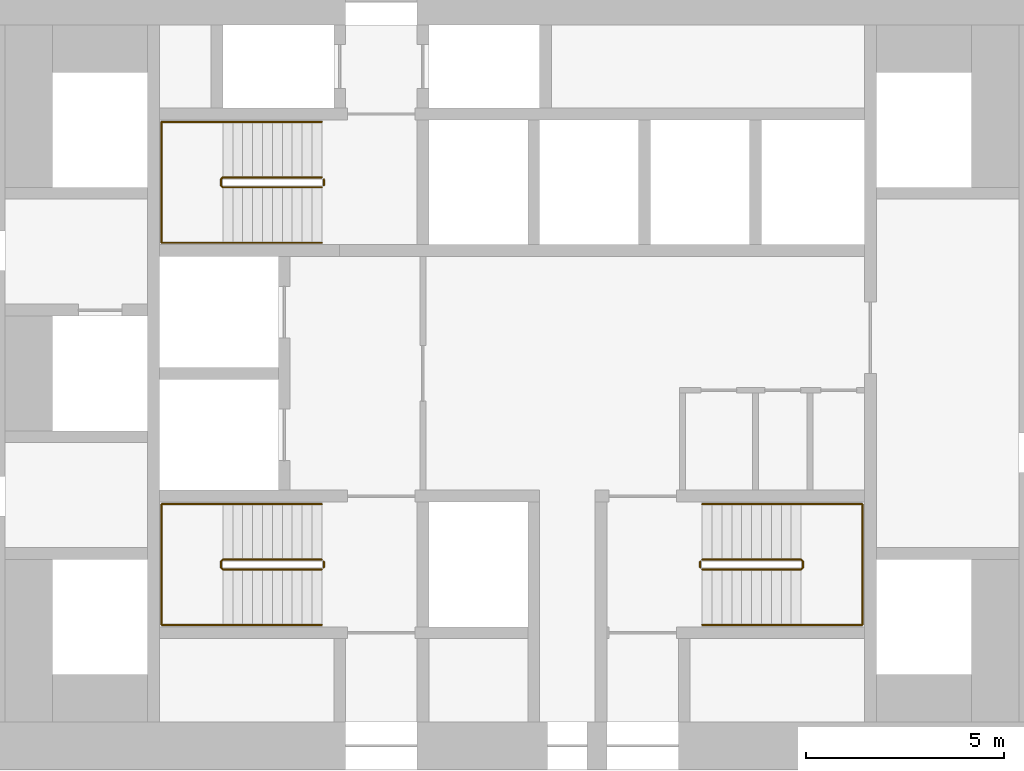
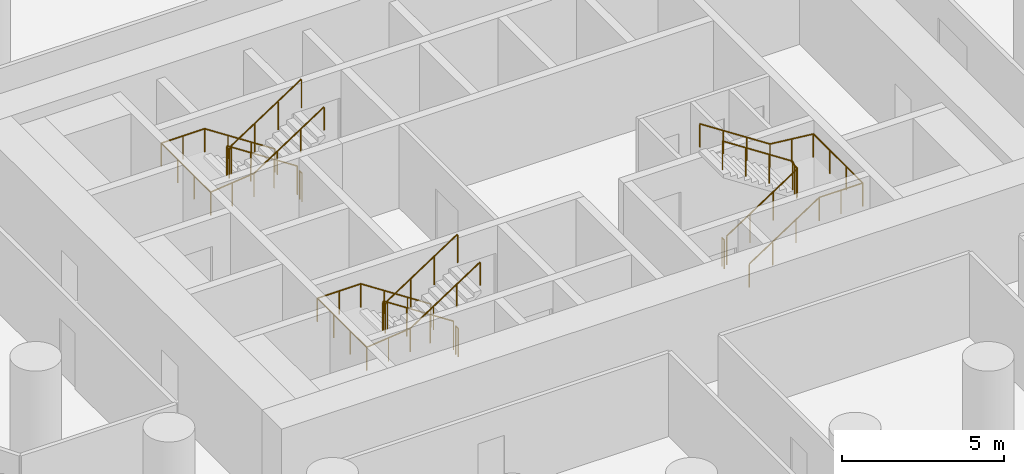
# One storey, part 12 of 12: 9 railings.
"""IFC4 building model written with IfcOpenShell, lengths in metres."""

from ifc_helpers import new_model, si_unit, direction, frame, origin, origin_2d, place, context, subcontext, project, spatial, circle, extrude, material, type_object, element, save


model = new_model("IFC4")

# Units and contexts
model_context = context("Model", 3, precision=1e-05, world=origin(), true_north=direction((0.0, 1.0)))
body_context = subcontext(model_context, "Body", "Model", "MODEL_VIEW")
ifc_project = project(units=[si_unit("LENGTHUNIT", "METRE"), si_unit("AREAUNIT", "SQUARE_METRE"), si_unit("VOLUMEUNIT", "CUBIC_METRE"), si_unit("PLANEANGLEUNIT", "RADIAN"), si_unit("MASSUNIT", "GRAM", prefix="KILO")], contexts=[model_context])

# Site, building, storey
site_placement = place(None, origin())
site = spatial("IfcSite", under=ifc_project, at=site_placement, CompositionType="ELEMENT")
building_placement = place(site_placement, origin())
building = spatial("IfcBuilding", under=site, at=building_placement, Name="Tracery Tower", CompositionType="ELEMENT")
storey_placement = place(building_placement, frame((0.0, 0.0, 39.0)))
storey = spatial("IfcBuildingStorey", under=building, at=storey_placement, Name="L08", CompositionType="ELEMENT", Elevation=39.0)

# Railings
ifc_material_1 = material(Name="Stainless steel and laminated glass", Category="steel")
railing_type_1 = type_object("IfcRailingType", Name="Stair guard 1100", PredefinedType="GUARDRAIL", material=ifc_material_1)
railing_1_placement = place(storey_placement, frame((-4.800048828125, -4.699951171875, 0.16357421875)))
element("IfcRailing", 1, at=railing_1_placement, inside=storey, type_object=railing_type_1, Name="L08 stair ST1 guard 1", PredefinedType="GUARDRAIL", context=body_context, shape_type="SweptSolid", body=[
    extrude(circle(Radius=0.02392578125, at=origin_2d()), frame((0.0, 0.0, 1.076171875), z_axis=(-0.83668449804, 0.0, 0.54768517484), x_axis=(0.0, -1.0, 0.0)), (0.0, 0.0, 1.0), 2.988037109375),
    extrude(circle(Radius=0.02392578125, at=origin_2d()), frame((-2.5, 0.0, 2.71240234375), z_axis=(-0.707106781187, -0.707106781187, 0.0), x_axis=(0.707106781187, -0.707106781187, 0.0)), (0.0, 0.0, 1.0), 0.07080078125),
    extrude(circle(Radius=0.02392578125, at=origin_2d()), frame((-2.550048828125, -0.050048828125, 2.71240234375), z_axis=(0.0, -1.0, 0.0), x_axis=(1.0, 0.0, 0.0)), (0.0, 0.0, 1.0), 0.14990234375),
    extrude(circle(Radius=0.02392578125, at=origin_2d()), frame((-2.550048828125, -0.199951171875, 2.71240234375), z_axis=(0.280808744504, -0.280808744504, 0.917765164963), x_axis=(0.707106781187, 0.707106781187, 0.0)), (0.0, 0.0, 1.0), 0.17822265625),
    extrude(circle(Radius=0.02392578125, at=origin_2d()), frame((-2.5, -0.25, 2.8759765625), z_axis=(0.83668449804, 0.0, 0.54768517484), x_axis=(0.0, 1.0, 0.0)), (0.0, 0.0, 1.0), 2.988037109375),
    extrude(circle(Radius=0.02099609375, at=origin_2d()), origin(), (0.0, 0.0, 1.0), 1.052001953125),
    extrude(circle(Radius=0.02099609375, at=origin_2d()), frame((-0.833251953125, 0.0, 0.54541015625)), (0.0, 0.0, 1.0), 1.052001953125),
    extrude(circle(Radius=0.02099609375, at=origin_2d()), frame((-1.666748046875, 0.0, 1.091064453125)), (0.0, 0.0, 1.0), 1.052001953125),
    extrude(circle(Radius=0.02099609375, at=origin_2d()), frame((-2.5, 0.0, 1.636474609375)), (0.0, 0.0, 1.0), 1.052001953125),
    extrude(circle(Radius=0.02099609375, at=origin_2d()), frame((-2.550048828125, -0.050048828125, 1.636474609375)), (0.0, 0.0, 1.0), 1.052001953125),
    extrude(circle(Radius=0.02099609375, at=origin_2d()), frame((-2.550048828125, -0.199951171875, 1.636474609375)), (0.0, 0.0, 1.0), 1.052001953125),
    extrude(circle(Radius=0.02099609375, at=origin_2d()), frame((-2.5, -0.25, 1.800048828125)), (0.0, 0.0, 1.0), 1.052001953125),
    extrude(circle(Radius=0.02099609375, at=origin_2d()), frame((-1.666748046875, -0.25, 2.345458984375)), (0.0, 0.0, 1.0), 1.052001953125),
    extrude(circle(Radius=0.02099609375, at=origin_2d()), frame((-0.833251953125, -0.25, 2.89111328125)), (0.0, 0.0, 1.0), 1.052001953125),
    extrude(circle(Radius=0.02099609375, at=origin_2d()), frame((0.0, -0.25, 3.4365234375)), (0.0, 0.0, 1.0), 1.052001953125),
])
railing_2_placement = place(storey_placement, frame((-4.75, -4.75, 0.0)))
element("IfcRailing", 2, at=railing_2_placement, inside=storey, type_object=railing_type_1, Name="L08 stair ST1 guard 2", PredefinedType="GUARDRAIL", context=body_context, shape_type="SweptSolid", body=[
    extrude(circle(Radius=0.02392578125, at=origin_2d()), frame((0.0, 0.0, 1.076171875), z_axis=(0.0, -1.0, 0.0), x_axis=(1.0, 0.0, 0.0)), (0.0, 0.0, 1.0), 0.14990234375),
    extrude(circle(Radius=0.02099609375, at=origin_2d()), origin(), (0.0, 0.0, 1.0), 1.052001953125),
    extrude(circle(Radius=0.02099609375, at=origin_2d()), frame((0.0, -0.14990234375, 0.0)), (0.0, 0.0, 1.0), 1.052001953125),
])
railing_3_placement = place(storey_placement, frame((-4.800048828125, 4.949951171875, 0.16357421875)))
element("IfcRailing", 3, at=railing_3_placement, inside=storey, type_object=railing_type_1, Name="L08 stair ST3 guard 1", PredefinedType="GUARDRAIL", context=body_context, shape_type="SweptSolid", body=[
    extrude(circle(Radius=0.02392578125, at=origin_2d()), frame((0.0, 0.0, 1.076171875), z_axis=(-0.83668449804, 0.0, 0.54768517484), x_axis=(0.0, -1.0, 0.0)), (0.0, 0.0, 1.0), 2.988037109375),
    extrude(circle(Radius=0.02392578125, at=origin_2d()), frame((-2.5, 0.0, 2.71240234375), z_axis=(-0.707106781187, -0.707106781187, 0.0), x_axis=(0.707106781187, -0.707106781187, 0.0)), (0.0, 0.0, 1.0), 0.07080078125),
    extrude(circle(Radius=0.02392578125, at=origin_2d()), frame((-2.550048828125, -0.050048828125, 2.71240234375), z_axis=(0.0, -1.0, 0.0), x_axis=(1.0, 0.0, 0.0)), (0.0, 0.0, 1.0), 0.14990234375),
    extrude(circle(Radius=0.02392578125, at=origin_2d()), frame((-2.550048828125, -0.199951171875, 2.71240234375), z_axis=(0.280808744504, -0.280808744504, 0.917765164963), x_axis=(0.707106781187, 0.707106781187, 0.0)), (0.0, 0.0, 1.0), 0.17822265625),
    extrude(circle(Radius=0.02392578125, at=origin_2d()), frame((-2.5, -0.25, 2.8759765625), z_axis=(0.83668449804, 0.0, 0.54768517484), x_axis=(0.0, 1.0, 0.0)), (0.0, 0.0, 1.0), 2.988037109375),
    extrude(circle(Radius=0.02099609375, at=origin_2d()), origin(), (0.0, 0.0, 1.0), 1.052001953125),
    extrude(circle(Radius=0.02099609375, at=origin_2d()), frame((-0.833251953125, 0.0, 0.54541015625)), (0.0, 0.0, 1.0), 1.052001953125),
    extrude(circle(Radius=0.02099609375, at=origin_2d()), frame((-1.666748046875, 0.0, 1.091064453125)), (0.0, 0.0, 1.0), 1.052001953125),
    extrude(circle(Radius=0.02099609375, at=origin_2d()), frame((-2.5, 0.0, 1.636474609375)), (0.0, 0.0, 1.0), 1.052001953125),
    extrude(circle(Radius=0.02099609375, at=origin_2d()), frame((-2.550048828125, -0.050048828125, 1.636474609375)), (0.0, 0.0, 1.0), 1.052001953125),
    extrude(circle(Radius=0.02099609375, at=origin_2d()), frame((-2.550048828125, -0.199951171875, 1.636474609375)), (0.0, 0.0, 1.0), 1.052001953125),
    extrude(circle(Radius=0.02099609375, at=origin_2d()), frame((-2.5, -0.25, 1.800048828125)), (0.0, 0.0, 1.0), 1.052001953125),
    extrude(circle(Radius=0.02099609375, at=origin_2d()), frame((-1.666748046875, -0.25, 2.345458984375)), (0.0, 0.0, 1.0), 1.052001953125),
    extrude(circle(Radius=0.02099609375, at=origin_2d()), frame((-0.833251953125, -0.25, 2.89111328125)), (0.0, 0.0, 1.0), 1.052001953125),
    extrude(circle(Radius=0.02099609375, at=origin_2d()), frame((0.0, -0.25, 3.4365234375)), (0.0, 0.0, 1.0), 1.052001953125),
])
railing_4_placement = place(storey_placement, frame((-4.75, 4.89990234375, 0.0)))
element("IfcRailing", 4, at=railing_4_placement, inside=storey, type_object=railing_type_1, Name="L08 stair ST3 guard 2", PredefinedType="GUARDRAIL", context=body_context, shape_type="SweptSolid", body=[
    extrude(circle(Radius=0.02392578125, at=origin_2d()), frame((0.0, 0.0, 1.076171875), z_axis=(0.0, -1.0, 0.0), x_axis=(1.0, 0.0, 0.0)), (0.0, 0.0, 1.0), 0.14990234375),
    extrude(circle(Radius=0.02099609375, at=origin_2d()), origin(), (0.0, 0.0, 1.0), 1.052001953125),
    extrude(circle(Radius=0.02099609375, at=origin_2d()), frame((0.0, -0.14990234375, 0.0)), (0.0, 0.0, 1.0), 1.052001953125),
])
railing_5_placement = place(storey_placement, frame((4.800048828125, -4.949951171875, 0.16357421875)))
element("IfcRailing", 5, at=railing_5_placement, inside=storey, type_object=railing_type_1, Name="L08 stair ST2 guard 1", PredefinedType="GUARDRAIL", context=body_context, shape_type="SweptSolid", body=[
    extrude(circle(Radius=0.02392578125, at=origin_2d()), frame((0.0, 0.0, 1.076171875), z_axis=(0.83668449804, 0.0, 0.54768517484), x_axis=(0.0, 1.0, 0.0)), (0.0, 0.0, 1.0), 2.988037109375),
    extrude(circle(Radius=0.02392578125, at=origin_2d()), frame((2.5, 0.0, 2.71240234375), z_axis=(0.707106781187, 0.707106781187, 0.0), x_axis=(-0.707106781187, 0.707106781187, 0.0)), (0.0, 0.0, 1.0), 0.07080078125),
    extrude(circle(Radius=0.02392578125, at=origin_2d()), frame((2.550048828125, 0.050048828125, 2.71240234375), z_axis=(0.0, 1.0, 0.0), x_axis=(-1.0, 0.0, 0.0)), (0.0, 0.0, 1.0), 0.14990234375),
    extrude(circle(Radius=0.02392578125, at=origin_2d()), frame((2.550048828125, 0.199951171875, 2.71240234375), z_axis=(-0.280808744504, 0.280808744504, 0.917765164963), x_axis=(-0.707106781187, -0.707106781187, 0.0)), (0.0, 0.0, 1.0), 0.17822265625),
    extrude(circle(Radius=0.02392578125, at=origin_2d()), frame((2.5, 0.25, 2.8759765625), z_axis=(-0.83668449804, 0.0, 0.54768517484), x_axis=(0.0, -1.0, 0.0)), (0.0, 0.0, 1.0), 2.988037109375),
    extrude(circle(Radius=0.02099609375, at=origin_2d()), origin(), (0.0, 0.0, 1.0), 1.052001953125),
    extrude(circle(Radius=0.02099609375, at=origin_2d()), frame((0.833251953125, 0.0, 0.54541015625)), (0.0, 0.0, 1.0), 1.052001953125),
    extrude(circle(Radius=0.02099609375, at=origin_2d()), frame((1.666748046875, 0.0, 1.091064453125)), (0.0, 0.0, 1.0), 1.052001953125),
    extrude(circle(Radius=0.02099609375, at=origin_2d()), frame((2.5, 0.0, 1.636474609375)), (0.0, 0.0, 1.0), 1.052001953125),
    extrude(circle(Radius=0.02099609375, at=origin_2d()), frame((2.550048828125, 0.050048828125, 1.636474609375)), (0.0, 0.0, 1.0), 1.052001953125),
    extrude(circle(Radius=0.02099609375, at=origin_2d()), frame((2.550048828125, 0.199951171875, 1.636474609375)), (0.0, 0.0, 1.0), 1.052001953125),
    extrude(circle(Radius=0.02099609375, at=origin_2d()), frame((2.5, 0.25, 1.800048828125)), (0.0, 0.0, 1.0), 1.052001953125),
    extrude(circle(Radius=0.02099609375, at=origin_2d()), frame((1.666748046875, 0.25, 2.345458984375)), (0.0, 0.0, 1.0), 1.052001953125),
    extrude(circle(Radius=0.02099609375, at=origin_2d()), frame((0.833251953125, 0.25, 2.89111328125)), (0.0, 0.0, 1.0), 1.052001953125),
    extrude(circle(Radius=0.02099609375, at=origin_2d()), frame((0.0, 0.25, 3.4365234375)), (0.0, 0.0, 1.0), 1.052001953125),
])
railing_6_placement = place(storey_placement, frame((4.75, -4.89990234375, 0.0)))
element("IfcRailing", 6, at=railing_6_placement, inside=storey, type_object=railing_type_1, Name="L08 stair ST2 guard 2", PredefinedType="GUARDRAIL", context=body_context, shape_type="SweptSolid", body=[
    extrude(circle(Radius=0.02392578125, at=origin_2d()), frame((0.0, 0.0, 1.076171875), z_axis=(0.0, 1.0, 0.0), x_axis=(-1.0, 0.0, 0.0)), (0.0, 0.0, 1.0), 0.14990234375),
    extrude(circle(Radius=0.02099609375, at=origin_2d()), origin(), (0.0, 0.0, 1.0), 1.052001953125),
    extrude(circle(Radius=0.02099609375, at=origin_2d()), frame((0.0, 0.14990234375, 0.0)), (0.0, 0.0, 1.0), 1.052001953125),
])
ifc_material_2 = material(Name="Stainless steel and laminated glass", Category="steel")
railing_type_2 = type_object("IfcRailingType", Name="Stair handrail 900", PredefinedType="HANDRAIL", material=ifc_material_2)
railing_7_placement = place(storey_placement, frame((-4.800048828125, -3.300048828125, 0.16357421875)))
element("IfcRailing", 7, at=railing_7_placement, inside=storey, type_object=railing_type_2, Name="L08 stair ST1 handrail 1", PredefinedType="HANDRAIL", context=body_context, shape_type="SweptSolid", body=[
    extrude(circle(Radius=0.02392578125, at=origin_2d()), frame((0.0, 0.0, 0.8759765625), z_axis=(-0.83668449804, 0.0, 0.54768517484), x_axis=(0.0, -1.0, 0.0)), (0.0, 0.0, 1.0), 2.988037109375),
    extrude(circle(Radius=0.02392578125, at=origin_2d()), frame((-2.5, 0.0, 2.51220703125), z_axis=(-1.0, 0.0, 0.0), x_axis=(0.0, -1.0, 0.0)), (0.0, 0.0, 1.0), 1.550048828125),
    extrude(circle(Radius=0.02392578125, at=origin_2d()), frame((-4.050048828125, 0.0, 2.51220703125), z_axis=(0.0, -1.0, 0.0), x_axis=(1.0, 0.0, 0.0)), (0.0, 0.0, 1.0), 3.050048828125),
    extrude(circle(Radius=0.02392578125, at=origin_2d()), frame((-4.050048828125, -3.050048828125, 2.51220703125), z_axis=(0.994477953863, 0.0, 0.104945696817), x_axis=(0.0, 1.0, 0.0)), (0.0, 0.0, 1.0), 1.55859375),
    extrude(circle(Radius=0.02392578125, at=origin_2d()), frame((-2.5, -3.050048828125, 2.67578125), z_axis=(0.83668449804, 0.0, 0.54768517484), x_axis=(0.0, 1.0, 0.0)), (0.0, 0.0, 1.0), 2.988037109375),
    extrude(circle(Radius=0.02099609375, at=origin_2d()), origin(), (0.0, 0.0, 1.0), 0.851806640625),
    extrude(circle(Radius=0.02099609375, at=origin_2d()), frame((-0.833251953125, 0.0, 0.54541015625)), (0.0, 0.0, 1.0), 0.851806640625),
    extrude(circle(Radius=0.02099609375, at=origin_2d()), frame((-1.666748046875, 0.0, 1.091064453125)), (0.0, 0.0, 1.0), 0.851806640625),
    extrude(circle(Radius=0.02099609375, at=origin_2d()), frame((-2.5, 0.0, 1.636474609375)), (0.0, 0.0, 1.0), 0.851806640625),
    extrude(circle(Radius=0.02099609375, at=origin_2d()), frame((-3.27490234375, 0.0, 1.636474609375)), (0.0, 0.0, 1.0), 0.851806640625),
    extrude(circle(Radius=0.02099609375, at=origin_2d()), frame((-4.050048828125, 0.0, 1.636474609375)), (0.0, 0.0, 1.0), 0.851806640625),
    extrude(circle(Radius=0.02099609375, at=origin_2d()), frame((-4.050048828125, -1.0166015625, 1.636474609375)), (0.0, 0.0, 1.0), 0.851806640625),
    extrude(circle(Radius=0.02099609375, at=origin_2d()), frame((-4.050048828125, -2.033447265625, 1.636474609375)), (0.0, 0.0, 1.0), 0.851806640625),
    extrude(circle(Radius=0.02099609375, at=origin_2d()), frame((-4.050048828125, -3.050048828125, 1.636474609375)), (0.0, 0.0, 1.0), 0.851806640625),
    extrude(circle(Radius=0.02099609375, at=origin_2d()), frame((-3.27490234375, -3.050048828125, 1.71826171875)), (0.0, 0.0, 1.0), 0.851806640625),
    extrude(circle(Radius=0.02099609375, at=origin_2d()), frame((-2.5, -3.050048828125, 1.800048828125)), (0.0, 0.0, 1.0), 0.851806640625),
    extrude(circle(Radius=0.02099609375, at=origin_2d()), frame((-1.666748046875, -3.050048828125, 2.345458984375)), (0.0, 0.0, 1.0), 0.851806640625),
    extrude(circle(Radius=0.02099609375, at=origin_2d()), frame((-0.833251953125, -3.050048828125, 2.89111328125)), (0.0, 0.0, 1.0), 0.851806640625),
    extrude(circle(Radius=0.02099609375, at=origin_2d()), frame((0.0, -3.050048828125, 3.4365234375)), (0.0, 0.0, 1.0), 0.851806640625),
])
railing_8_placement = place(storey_placement, frame((-4.800048828125, 6.35009765625, 0.16357421875)))
element("IfcRailing", 8, at=railing_8_placement, inside=storey, type_object=railing_type_2, Name="L08 stair ST3 handrail 1", PredefinedType="HANDRAIL", context=body_context, shape_type="SweptSolid", body=[
    extrude(circle(Radius=0.02392578125, at=origin_2d()), frame((0.0, 0.0, 0.8759765625), z_axis=(-0.83668449804, 0.0, 0.54768517484), x_axis=(0.0, -1.0, 0.0)), (0.0, 0.0, 1.0), 2.988037109375),
    extrude(circle(Radius=0.02392578125, at=origin_2d()), frame((-2.5, 0.0, 2.51220703125), z_axis=(-1.0, 0.0, 0.0), x_axis=(0.0, -1.0, 0.0)), (0.0, 0.0, 1.0), 1.550048828125),
    extrude(circle(Radius=0.02392578125, at=origin_2d()), frame((-4.050048828125, 0.0, 2.51220703125), z_axis=(0.0, -1.0, 0.0), x_axis=(1.0, 0.0, 0.0)), (0.0, 0.0, 1.0), 3.050048828125),
    extrude(circle(Radius=0.02392578125, at=origin_2d()), frame((-4.050048828125, -3.050048828125, 2.51220703125), z_axis=(0.994477953863, 0.0, 0.104945696817), x_axis=(0.0, 1.0, 0.0)), (0.0, 0.0, 1.0), 1.55859375),
    extrude(circle(Radius=0.02392578125, at=origin_2d()), frame((-2.5, -3.050048828125, 2.67578125), z_axis=(0.83668449804, 0.0, 0.54768517484), x_axis=(0.0, 1.0, 0.0)), (0.0, 0.0, 1.0), 2.988037109375),
    extrude(circle(Radius=0.02099609375, at=origin_2d()), origin(), (0.0, 0.0, 1.0), 0.851806640625),
    extrude(circle(Radius=0.02099609375, at=origin_2d()), frame((-0.833251953125, 0.0, 0.54541015625)), (0.0, 0.0, 1.0), 0.851806640625),
    extrude(circle(Radius=0.02099609375, at=origin_2d()), frame((-1.666748046875, 0.0, 1.091064453125)), (0.0, 0.0, 1.0), 0.851806640625),
    extrude(circle(Radius=0.02099609375, at=origin_2d()), frame((-2.5, 0.0, 1.636474609375)), (0.0, 0.0, 1.0), 0.851806640625),
    extrude(circle(Radius=0.02099609375, at=origin_2d()), frame((-3.27490234375, 0.0, 1.636474609375)), (0.0, 0.0, 1.0), 0.851806640625),
    extrude(circle(Radius=0.02099609375, at=origin_2d()), frame((-4.050048828125, 0.0, 1.636474609375)), (0.0, 0.0, 1.0), 0.851806640625),
    extrude(circle(Radius=0.02099609375, at=origin_2d()), frame((-4.050048828125, -1.0166015625, 1.636474609375)), (0.0, 0.0, 1.0), 0.851806640625),
    extrude(circle(Radius=0.02099609375, at=origin_2d()), frame((-4.050048828125, -2.033447265625, 1.636474609375)), (0.0, 0.0, 1.0), 0.851806640625),
    extrude(circle(Radius=0.02099609375, at=origin_2d()), frame((-4.050048828125, -3.050048828125, 1.636474609375)), (0.0, 0.0, 1.0), 0.851806640625),
    extrude(circle(Radius=0.02099609375, at=origin_2d()), frame((-3.27490234375, -3.050048828125, 1.71826171875)), (0.0, 0.0, 1.0), 0.851806640625),
    extrude(circle(Radius=0.02099609375, at=origin_2d()), frame((-2.5, -3.050048828125, 1.800048828125)), (0.0, 0.0, 1.0), 0.851806640625),
    extrude(circle(Radius=0.02099609375, at=origin_2d()), frame((-1.666748046875, -3.050048828125, 2.345458984375)), (0.0, 0.0, 1.0), 0.851806640625),
    extrude(circle(Radius=0.02099609375, at=origin_2d()), frame((-0.833251953125, -3.050048828125, 2.89111328125)), (0.0, 0.0, 1.0), 0.851806640625),
    extrude(circle(Radius=0.02099609375, at=origin_2d()), frame((0.0, -3.050048828125, 3.4365234375)), (0.0, 0.0, 1.0), 0.851806640625),
])
railing_9_placement = place(storey_placement, frame((4.800048828125, -6.35009765625, 0.16357421875)))
element("IfcRailing", 9, at=railing_9_placement, inside=storey, type_object=railing_type_2, Name="L08 stair ST2 handrail 1", PredefinedType="HANDRAIL", context=body_context, shape_type="SweptSolid", body=[
    extrude(circle(Radius=0.02392578125, at=origin_2d()), frame((0.0, 0.0, 0.8759765625), z_axis=(0.83668449804, 0.0, 0.54768517484), x_axis=(0.0, 1.0, 0.0)), (0.0, 0.0, 1.0), 2.988037109375),
    extrude(circle(Radius=0.02392578125, at=origin_2d()), frame((2.5, 0.0, 2.51220703125), z_axis=(1.0, 0.0, 0.0), x_axis=(0.0, 1.0, 0.0)), (0.0, 0.0, 1.0), 1.550048828125),
    extrude(circle(Radius=0.02392578125, at=origin_2d()), frame((4.050048828125, 0.0, 2.51220703125), z_axis=(0.0, 1.0, 0.0), x_axis=(-1.0, 0.0, 0.0)), (0.0, 0.0, 1.0), 3.050048828125),
    extrude(circle(Radius=0.02392578125, at=origin_2d()), frame((4.050048828125, 3.050048828125, 2.51220703125), z_axis=(-0.994477953863, 0.0, 0.104945696817), x_axis=(0.0, -1.0, 0.0)), (0.0, 0.0, 1.0), 1.55859375),
    extrude(circle(Radius=0.02392578125, at=origin_2d()), frame((2.5, 3.050048828125, 2.67578125), z_axis=(-0.83668449804, 0.0, 0.54768517484), x_axis=(0.0, -1.0, 0.0)), (0.0, 0.0, 1.0), 2.988037109375),
    extrude(circle(Radius=0.02099609375, at=origin_2d()), origin(), (0.0, 0.0, 1.0), 0.851806640625),
    extrude(circle(Radius=0.02099609375, at=origin_2d()), frame((0.833251953125, 0.0, 0.54541015625)), (0.0, 0.0, 1.0), 0.851806640625),
    extrude(circle(Radius=0.02099609375, at=origin_2d()), frame((1.666748046875, 0.0, 1.091064453125)), (0.0, 0.0, 1.0), 0.851806640625),
    extrude(circle(Radius=0.02099609375, at=origin_2d()), frame((2.5, 0.0, 1.636474609375)), (0.0, 0.0, 1.0), 0.851806640625),
    extrude(circle(Radius=0.02099609375, at=origin_2d()), frame((3.27490234375, 0.0, 1.636474609375)), (0.0, 0.0, 1.0), 0.851806640625),
    extrude(circle(Radius=0.02099609375, at=origin_2d()), frame((4.050048828125, 0.0, 1.636474609375)), (0.0, 0.0, 1.0), 0.851806640625),
    extrude(circle(Radius=0.02099609375, at=origin_2d()), frame((4.050048828125, 1.0166015625, 1.636474609375)), (0.0, 0.0, 1.0), 0.851806640625),
    extrude(circle(Radius=0.02099609375, at=origin_2d()), frame((4.050048828125, 2.033447265625, 1.636474609375)), (0.0, 0.0, 1.0), 0.851806640625),
    extrude(circle(Radius=0.02099609375, at=origin_2d()), frame((4.050048828125, 3.050048828125, 1.636474609375)), (0.0, 0.0, 1.0), 0.851806640625),
    extrude(circle(Radius=0.02099609375, at=origin_2d()), frame((3.27490234375, 3.050048828125, 1.71826171875)), (0.0, 0.0, 1.0), 0.851806640625),
    extrude(circle(Radius=0.02099609375, at=origin_2d()), frame((2.5, 3.050048828125, 1.800048828125)), (0.0, 0.0, 1.0), 0.851806640625),
    extrude(circle(Radius=0.02099609375, at=origin_2d()), frame((1.666748046875, 3.050048828125, 2.345458984375)), (0.0, 0.0, 1.0), 0.851806640625),
    extrude(circle(Radius=0.02099609375, at=origin_2d()), frame((0.833251953125, 3.050048828125, 2.89111328125)), (0.0, 0.0, 1.0), 0.851806640625),
    extrude(circle(Radius=0.02099609375, at=origin_2d()), frame((0.0, 3.050048828125, 3.4365234375)), (0.0, 0.0, 1.0), 0.851806640625),
])

save(model, "model.ifc")
